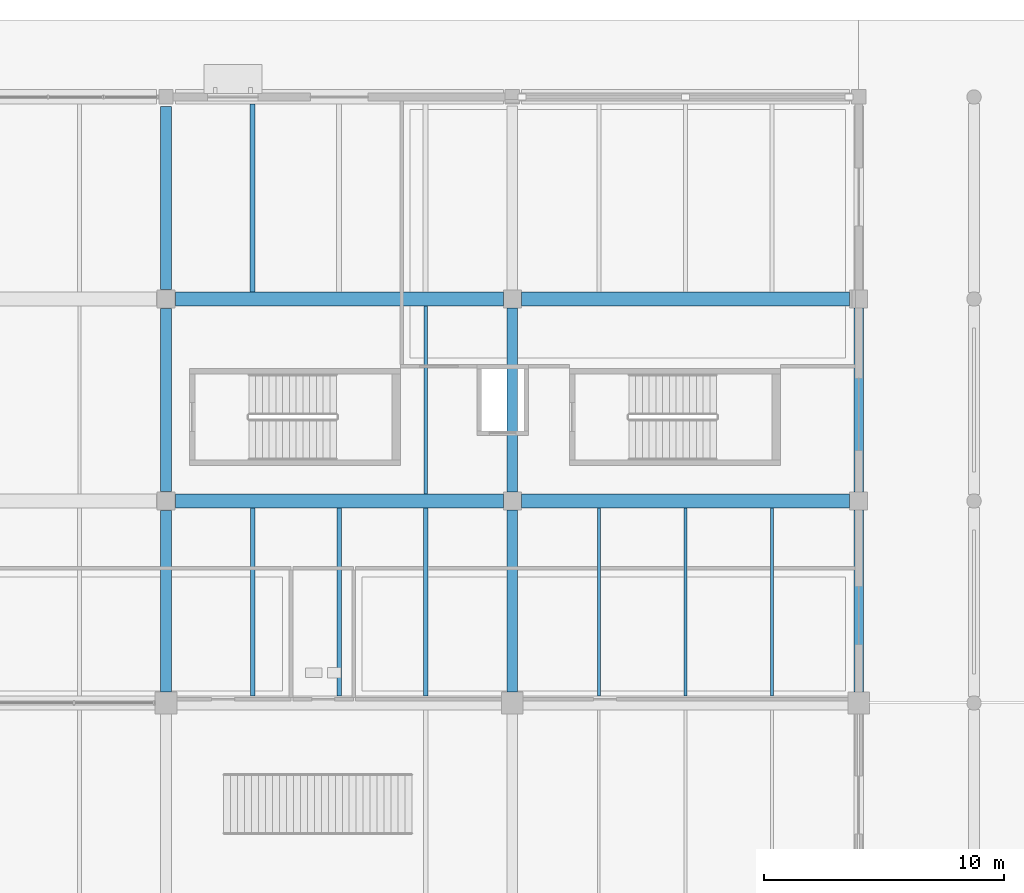
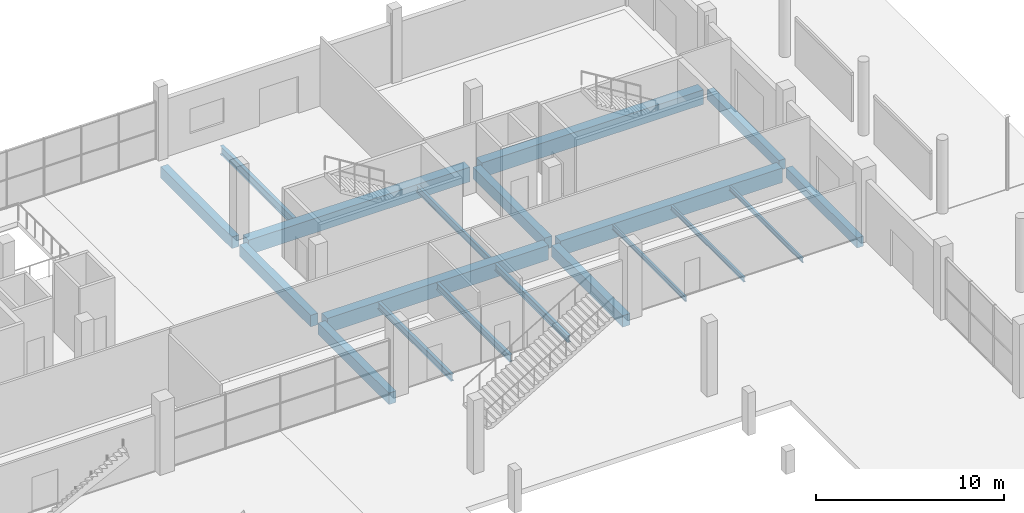
# One storey, part 60 of 130: 19 beams.
"""IFC4 building model written with IfcOpenShell, lengths in metres."""

from ifc_helpers import new_model, si_unit, direction, frame, origin, origin_2d, place, context, subcontext, project, spatial, rectangle, i_section, extrude, material, material_profile, profile_set, type_object, element, save


model = new_model("IFC4")

# Units and contexts
model_context = context("Model", 3, precision=1e-05, world=origin(), true_north=direction((0.0, 1.0)))
body_context = subcontext(model_context, "Body", "Model", "MODEL_VIEW")
ifc_project = project(units=[si_unit("LENGTHUNIT", "METRE"), si_unit("AREAUNIT", "SQUARE_METRE"), si_unit("VOLUMEUNIT", "CUBIC_METRE"), si_unit("PLANEANGLEUNIT", "RADIAN"), si_unit("MASSUNIT", "GRAM", prefix="KILO"), si_unit("THERMODYNAMICTEMPERATUREUNIT", "KELVIN")], contexts=[model_context])

# Site, building, storey
site_placement = place(None, origin())
site = spatial("IfcSite", under=ifc_project, at=site_placement, CompositionType="ELEMENT")
building_placement = place(site_placement, origin())
building = spatial("IfcBuilding", under=site, at=building_placement, Name="Nduvali Passage Aquatics Centre", CompositionType="ELEMENT")
storey_placement = place(building_placement, origin())
storey = spatial("IfcBuildingStorey", under=building, at=storey_placement, Name="L00", CompositionType="ELEMENT", Elevation=0.0)

# Beams
ifc_material_1 = material(Name="Concrete C40/50", Category="concrete")
ifc_material_profile_1 = material_profile(ifc_material_1, rectangle(XDim=0.449951171875, YDim=0.75, at=origin_2d()), Name="RC 450x750")
ifc_profile_set_1 = profile_set([ifc_material_profile_1], Name="Concrete C40/50")
beam_type_1 = type_object("IfcBeamType", Name="STR-BM-RC4575", PredefinedType="BEAM", material=ifc_profile_set_1)
beam_1_placement = place(storey_placement, frame((97.199951171875, 92.85009765625, -0.675048828125), z_axis=(0.0, 1.0, 0.0), x_axis=(-1.0, 0.0, 0.0)))
element("IfcBeam", 1, at=beam_1_placement, inside=storey, type_object=beam_type_1, Name="L00 Primary Y-Girder B3-0175", PredefinedType="BEAM", context=body_context, shape_type="SweptSolid", body=[
    extrude(rectangle(XDim=0.449951171875, YDim=0.75, at=origin_2d()), origin(), (0.0, 0.0, 1.0), 7.5498046875),
])
beam_2_placement = place(storey_placement, frame((97.199951171875, 101.199951171875, -0.675048828125), z_axis=(0.0, 1.0, 0.0), x_axis=(-1.0, 0.0, 0.0)))
element("IfcBeam", 2, at=beam_2_placement, inside=storey, type_object=beam_type_1, Name="L00 Primary Y-Girder B3-0176", PredefinedType="BEAM", context=body_context, shape_type="SweptSolid", body=[
    extrude(rectangle(XDim=0.449951171875, YDim=0.75, at=origin_2d()), origin(), (0.0, 0.0, 1.0), 7.60009765625),
])
beam_3_placement = place(storey_placement, frame((97.199951171875, 109.60009765625, -0.675048828125), z_axis=(0.0, 1.0, 0.0), x_axis=(-1.0, 0.0, 0.0)))
element("IfcBeam", 3, at=beam_3_placement, inside=storey, type_object=beam_type_1, Name="L00 Primary Y-Girder B3-0177", PredefinedType="BEAM", context=body_context, shape_type="SweptSolid", body=[
    extrude(rectangle(XDim=0.449951171875, YDim=0.75, at=origin_2d()), origin(), (0.0, 0.0, 1.0), 7.599853515625),
])
beam_4_placement = place(storey_placement, frame((111.60009765625, 92.85009765625, -0.675048828125), z_axis=(0.0, 1.0, 0.0), x_axis=(-1.0, 0.0, 0.0)))
element("IfcBeam", 4, at=beam_4_placement, inside=storey, type_object=beam_type_1, Name="L00 Primary Y-Girder B3-0184", PredefinedType="BEAM", context=body_context, shape_type="SweptSolid", body=[
    extrude(rectangle(XDim=0.449951171875, YDim=0.75, at=origin_2d()), origin(), (0.0, 0.0, 1.0), 7.574951171875),
])
beam_5_placement = place(storey_placement, frame((111.60009765625, 101.175048828125, -0.675048828125), z_axis=(0.0, 1.0, 0.0), x_axis=(-1.0, 0.0, 0.0)))
element("IfcBeam", 5, at=beam_5_placement, inside=storey, type_object=beam_type_1, Name="L00 Primary Y-Girder B3-0185", PredefinedType="BEAM", context=body_context, shape_type="SweptSolid", body=[
    extrude(rectangle(XDim=0.449951171875, YDim=0.75, at=origin_2d()), origin(), (0.0, 0.0, 1.0), 7.64990234375),
])
ifc_material_profile_2 = material_profile(ifc_material_1, rectangle(XDim=0.60009765625, YDim=0.949951171875, at=origin_2d()), Name="RC 600x950")
ifc_profile_set_2 = profile_set([ifc_material_profile_2], Name="Concrete C40/50")
beam_type_2 = type_object("IfcBeamType", Name="STR-BM-RC6095", PredefinedType="BEAM", material=ifc_profile_set_2)
beam_6_placement = place(storey_placement, frame((97.60009765625, 100.800048828125, -0.77490234375), z_axis=(1.0, 0.0, 0.0), x_axis=(0.0, 1.0, 0.0)))
element("IfcBeam", 6, at=beam_6_placement, inside=storey, type_object=beam_type_2, Name="L00 Primary X-Girder B1-0099", PredefinedType="BEAM", context=body_context, shape_type="SweptSolid", body=[
    extrude(rectangle(XDim=0.60009765625, YDim=0.949951171875, at=origin_2d()), origin(), (0.0, 0.0, 1.0), 13.625),
])
beam_7_placement = place(storey_placement, frame((111.97509765625, 100.800048828125, -0.77490234375), z_axis=(1.0, 0.0, 0.0), x_axis=(0.0, 1.0, 0.0)))
element("IfcBeam", 7, at=beam_7_placement, inside=storey, type_object=beam_type_2, Name="L00 Primary X-Girder B1-0100", PredefinedType="BEAM", context=body_context, shape_type="SweptSolid", body=[
    extrude(rectangle(XDim=0.60009765625, YDim=0.949951171875, at=origin_2d()), origin(), (0.0, 0.0, 1.0), 13.64990234375),
])
beam_8_placement = place(storey_placement, frame((97.60009765625, 109.199951171875, -0.77490234375), z_axis=(1.0, 0.0, 0.0), x_axis=(0.0, 1.0, 0.0)))
element("IfcBeam", 8, at=beam_8_placement, inside=storey, type_object=beam_type_2, Name="L00 Primary X-Girder B1-0105", PredefinedType="BEAM", context=body_context, shape_type="SweptSolid", body=[
    extrude(rectangle(XDim=0.60009765625, YDim=0.949951171875, at=origin_2d()), origin(), (0.0, 0.0, 1.0), 13.625),
])
beam_9_placement = place(storey_placement, frame((111.97509765625, 109.199951171875, -0.77490234375), z_axis=(1.0, 0.0, 0.0), x_axis=(0.0, 1.0, 0.0)))
element("IfcBeam", 9, at=beam_9_placement, inside=storey, type_object=beam_type_2, Name="L00 Primary X-Girder B1-0106", PredefinedType="BEAM", context=body_context, shape_type="SweptSolid", body=[
    extrude(rectangle(XDim=0.60009765625, YDim=0.949951171875, at=origin_2d()), origin(), (0.0, 0.0, 1.0), 13.64990234375),
])
ifc_material_2 = material(Name="Steel S355", Category="steel")
ifc_material_profile_3 = material_profile(ifc_material_2, i_section(OverallWidth=0.18994140625, OverallDepth=0.449951171875, WebThickness=0.009521484375, FlangeThickness=0.0146484375, FilletRadius=0.02099609375, at=origin_2d()), Name="IPE 450")
ifc_profile_set_3 = profile_set([ifc_material_profile_3], Name="Steel S355")
beam_type_3 = type_object("IfcBeamType", Name="STR-JST-IPE450", PredefinedType="JOIST", material=ifc_profile_set_3)
for number, where, z_axis, x_axis, name in (
    (10, (100.800048828125, 92.699951171875, -0.529052734375), (0.0, 1.0, 0.0), (-1.0, 0.0, 0.0), "L00 Secondary Joist J5B-0405"),
    (11, (104.39990234375, 92.699951171875, -0.529052734375), (0.0, 1.0, 0.0), (-1.0, 0.0, 0.0), "L00 Secondary Joist J5B-0406"),
    (12, (108.0, 92.699951171875, -0.529052734375), (0.0, 1.0, 0.0), (-1.0, 0.0, 0.0), "L00 Secondary Joist J5B-0407"),
):
    element("IfcBeam", number, at=place(storey_placement, frame(where, z_axis=z_axis, x_axis=x_axis)), inside=storey, type_object=beam_type_3, Name=name, PredefinedType="JOIST", context=body_context, shape_type="SweptSolid", body=[
        extrude(i_section(OverallWidth=0.18994140625, OverallDepth=0.449951171875, WebThickness=0.009521484375, FlangeThickness=0.0146484375, FilletRadius=0.02099609375, at=origin_2d()), origin(), (0.0, 0.0, 1.0), 7.800048828125),
    ])
ifc_material_profile_4 = material_profile(ifc_material_2, i_section(OverallWidth=0.2099609375, OverallDepth=0.550048828125, WebThickness=0.010986328125, FlangeThickness=0.01708984375, FilletRadius=0.02392578125, at=origin_2d()), Name="IPE 550")
ifc_profile_set_4 = profile_set([ifc_material_profile_4], Name="Steel S355")
beam_type_4 = type_object("IfcBeamType", Name="STR-JST-IPE550", PredefinedType="JOIST", material=ifc_profile_set_4)
beam_10_placement = place(storey_placement, frame((100.800048828125, 109.5, -0.5791015625), z_axis=(0.0, 1.0, 0.0), x_axis=(-1.0, 0.0, 0.0)))
element("IfcBeam", 13, at=beam_10_placement, inside=storey, type_object=beam_type_4, Name="L00 Secondary Joist J5C-0420", PredefinedType="JOIST", context=body_context, shape_type="SweptSolid", body=[
    extrude(i_section(OverallWidth=0.2099609375, OverallDepth=0.550048828125, WebThickness=0.010986328125, FlangeThickness=0.01708984375, FilletRadius=0.02392578125, at=origin_2d()), origin(), (0.0, 0.0, 1.0), 7.800048828125),
])
ifc_material_profile_5 = material_profile(ifc_material_2, i_section(OverallWidth=0.124267578125, OverallDepth=0.30712890625, WebThickness=0.008056640625, FlangeThickness=0.01220703125, FilletRadius=0.0087890625, at=origin_2d()), Name="UKB 305x127x42")
ifc_profile_set_5 = profile_set([ifc_material_profile_5], Name="Steel S355")
beam_type_5 = type_object("IfcBeamType", Name="STR-JST-UKB305L", PredefinedType="JOIST", material=ifc_profile_set_5)
for number, where, z_axis, x_axis, name in (
    (14, (115.199951171875, 92.699951171875, -0.45751953125), (0.0, 1.0, 0.0), (-1.0, 0.0, 0.0), "L00 Secondary Joist J3A-0408"),
    (15, (118.800048828125, 92.699951171875, -0.45751953125), (0.0, 1.0, 0.0), (-1.0, 0.0, 0.0), "L00 Secondary Joist J3A-0409"),
    (16, (122.39990234375, 92.699951171875, -0.45751953125), (0.0, 1.0, 0.0), (-1.0, 0.0, 0.0), "L00 Secondary Joist J3A-0410"),
):
    element("IfcBeam", number, at=place(storey_placement, frame(where, z_axis=z_axis, x_axis=x_axis)), inside=storey, type_object=beam_type_5, Name=name, PredefinedType="JOIST", context=body_context, shape_type="SweptSolid", body=[
        extrude(i_section(OverallWidth=0.124267578125, OverallDepth=0.30712890625, WebThickness=0.008056640625, FlangeThickness=0.01220703125, FilletRadius=0.0087890625, at=origin_2d()), origin(), (0.0, 0.0, 1.0), 7.800048828125),
    ])
ifc_material_profile_6 = material_profile(ifc_material_2, i_section(OverallWidth=0.15283203125, OverallDepth=0.45458984375, WebThickness=0.008056640625, FlangeThickness=0.01318359375, FilletRadius=0.01025390625, at=origin_2d()), Name="UKB 457x152x60")
ifc_profile_set_6 = profile_set([ifc_material_profile_6], Name="Steel S355")
beam_type_6 = type_object("IfcBeamType", Name="STR-JST-UKB457L", PredefinedType="JOIST", material=ifc_profile_set_6)
beam_11_placement = place(storey_placement, frame((108.0, 101.10009765625, -0.53125), z_axis=(0.0, 1.0, 0.0), x_axis=(-1.0, 0.0, 0.0)))
element("IfcBeam", 17, at=beam_11_placement, inside=storey, type_object=beam_type_6, Name="L00 Secondary Joist J1A-0417", PredefinedType="JOIST", context=body_context, shape_type="SweptSolid", body=[
    extrude(i_section(OverallWidth=0.15283203125, OverallDepth=0.45458984375, WebThickness=0.008056640625, FlangeThickness=0.01318359375, FilletRadius=0.01025390625, at=origin_2d()), origin(), (0.0, 0.0, 1.0), 7.7998046875),
])
ifc_material_profile_7 = material_profile(ifc_material_1, rectangle(XDim=0.39990234375, YDim=0.64990234375, at=origin_2d()), Name="RC 400x650")
ifc_profile_set_7 = profile_set([ifc_material_profile_7], Name="Concrete C40/50")
beam_type_7 = type_object("IfcBeamType", Name="STR-SPN-RC4065-EXT", PredefinedType="SPANDREL", material=ifc_profile_set_7)
beam_12_placement = place(storey_placement, frame((126.0, 92.85009765625, -0.625), z_axis=(0.0, 1.0, 0.0), x_axis=(-1.0, 0.0, 0.0)))
element("IfcBeam", 18, at=beam_12_placement, inside=storey, type_object=beam_type_7, Name="L00 Primary Y-Girder SP1E-0198", PredefinedType="SPANDREL", context=body_context, shape_type="SweptSolid", body=[
    extrude(rectangle(XDim=0.39990234375, YDim=0.64990234375, at=origin_2d()), origin(), (0.0, 0.0, 1.0), 7.574951171875),
])
beam_13_placement = place(storey_placement, frame((126.0, 101.175048828125, -0.625), z_axis=(0.0, 1.0, 0.0), x_axis=(-1.0, 0.0, 0.0)))
element("IfcBeam", 19, at=beam_13_placement, inside=storey, type_object=beam_type_7, Name="L00 Primary Y-Girder SP1E-0199", PredefinedType="SPANDREL", context=body_context, shape_type="SweptSolid", body=[
    extrude(rectangle(XDim=0.39990234375, YDim=0.64990234375, at=origin_2d()), origin(), (0.0, 0.0, 1.0), 7.64990234375),
])

save(model, "model.ifc")
